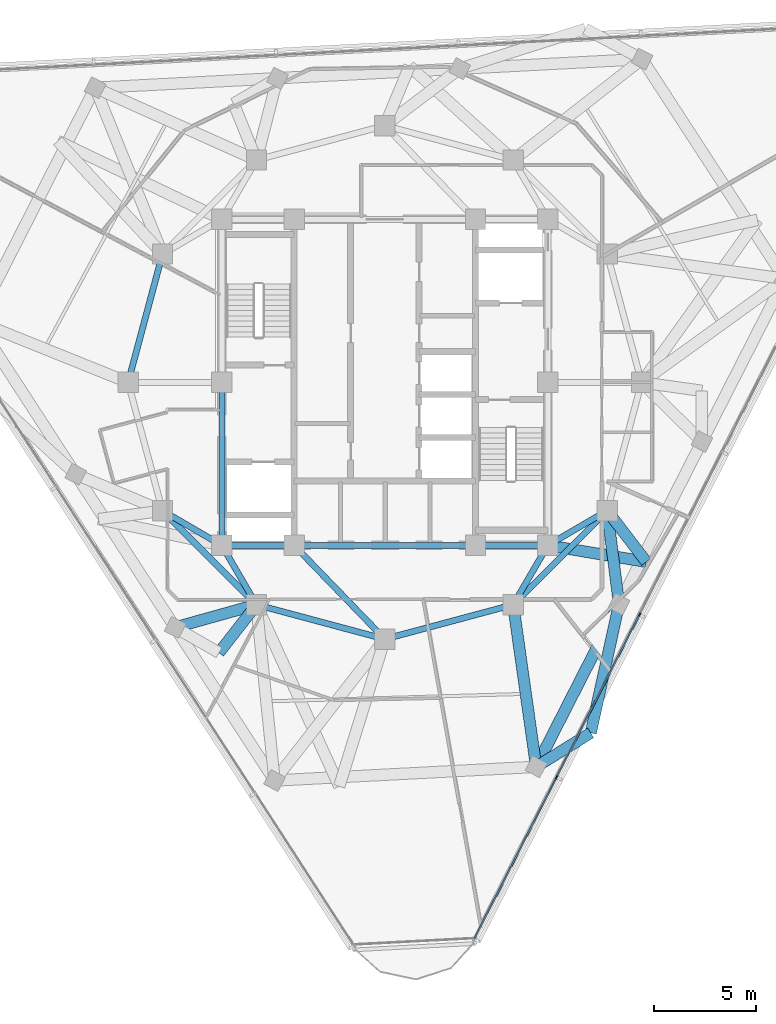
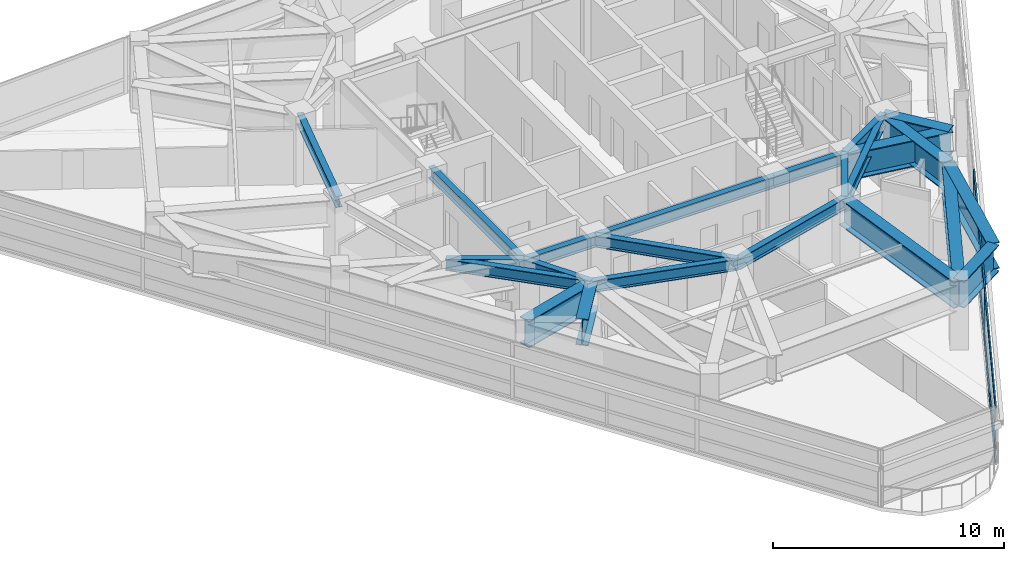
# One storey, part 3 of 15: 23 beams, 8 members, 1 element without a shape of its own.
"""IFC4 building model written with IfcOpenShell, lengths in metres."""

from ifc_helpers import new_model, si_unit, direction, frame, origin, origin_2d, place, context, subcontext, project, spatial, rectangle, i_section, extrude, material, layer, layer_set, material_profile, profile_set, type_object, element, aggregate, save


model = new_model("IFC4")

# Units and contexts
model_context = context("Model", 3, precision=1e-05, world=origin(), true_north=direction((0.0, 1.0)))
body_context = subcontext(model_context, "Body", "Model", "MODEL_VIEW")
ifc_project = project(units=[si_unit("LENGTHUNIT", "METRE"), si_unit("AREAUNIT", "SQUARE_METRE"), si_unit("VOLUMEUNIT", "CUBIC_METRE"), si_unit("PLANEANGLEUNIT", "RADIAN"), si_unit("MASSUNIT", "GRAM", prefix="KILO")], contexts=[model_context])

# Site, building, storey
site_placement = place(None, origin())
site = spatial("IfcSite", under=ifc_project, at=site_placement, CompositionType="ELEMENT")
building_placement = place(site_placement, origin())
building = spatial("IfcBuilding", under=site, at=building_placement, Name="Terralouvre Media Tower", CompositionType="ELEMENT")
storey_placement = place(building_placement, frame((0.0, 0.0, 274.39990234375)))
storey = spatial("IfcBuildingStorey", under=building, at=storey_placement, Name="L71", CompositionType="ELEMENT", Elevation=274.39990234375)

# Curtain wall, members
ifc_material_1 = material(Name="Low-iron laminated double glazing with solar-control coating", Category="glass")
ifc_layer = layer(ifc_material_1, 0.1650390625, Name="Upper Executive Tower Curtain Wall CW-05")
ifc_layer_set = layer_set([ifc_layer], Name="Low-iron laminated double glazing with solar-control coating")
curtain_wall_type = type_object("IfcCurtainWallType", Name="Upper Executive Tower Curtain Wall CW-05", PredefinedType="NOTDEFINED", material=ifc_layer_set)
curtain_wall_placement = place(storey_placement, origin())
curtain_wall = element("IfcCurtainWall", 1, at=curtain_wall_placement, inside=storey, type_object=curtain_wall_type, Name="L71 Facade Curtain Wall F0", PredefinedType="NOTDEFINED")
ifc_material_2 = material(Name="Anodised extruded aluminium 6063-T6", Category="aluminium")
ifc_material_profile_1 = material_profile(ifc_material_2, rectangle(XDim=0.074951171875, YDim=0.14990234375, at=origin_2d()), Name="ALU 75x150")
ifc_profile_set_1 = profile_set([ifc_material_profile_1], Name="Anodised extruded aluminium 6063-T6")
member_type_1 = type_object("IfcMemberType", Name="Curtain-Wall Horizontal Transom TR-150", PredefinedType="USERDEFINED", material=ifc_profile_set_1)
member_1_placement = place(storey_placement, frame((4.3994140625, -27.297607421875, 0.03759765625), z_axis=(0.453977864671, 0.891012961964, 0.0), x_axis=(-0.891012961964, 0.453977864671, 0.0)))
member_1 = element("IfcMember", 2, at=member_1_placement, type_object=member_type_1, Name="CW-05 transom 1.1", ObjectType="TRANSOM", PredefinedType="USERDEFINED", context=body_context, shape_type="SweptSolid", body=[
    extrude(rectangle(XDim=0.074951171875, YDim=0.14990234375, at=origin_2d()), origin(), (0.0, 0.0, 1.0), 8.84765625),
])
member_2_placement = place(storey_placement, frame((4.3994140625, -27.297607421875, 0.800048828125), z_axis=(0.453977864671, 0.891012961964, 0.0), x_axis=(-0.891012961964, 0.453977864671, 0.0)))
member_2 = element("IfcMember", 3, at=member_2_placement, type_object=member_type_1, Name="CW-05 transom 1.2", ObjectType="TRANSOM", PredefinedType="USERDEFINED", context=body_context, shape_type="SweptSolid", body=[
    extrude(rectangle(XDim=0.074951171875, YDim=0.14990234375, at=origin_2d()), origin(), (0.0, 0.0, 1.0), 8.84765625),
])
member_3_placement = place(storey_placement, frame((4.3994140625, -27.297607421875, 2.922607421875), z_axis=(0.453977864671, 0.891012961964, 0.0), x_axis=(-0.891012961964, 0.453977864671, 0.0)))
member_3 = element("IfcMember", 4, at=member_3_placement, type_object=member_type_1, Name="CW-05 transom 1.3", ObjectType="TRANSOM", PredefinedType="USERDEFINED", context=body_context, shape_type="SweptSolid", body=[
    extrude(rectangle(XDim=0.074951171875, YDim=0.14990234375, at=origin_2d()), origin(), (0.0, 0.0, 1.0), 8.84765625),
])
member_4_placement = place(storey_placement, frame((8.449951171875, -19.347412109375, 0.03759765625), z_axis=(0.454015101289, 0.890993988645, 0.0), x_axis=(-0.890993988645, 0.454015101289, 0.0)))
member_4 = element("IfcMember", 5, at=member_4_placement, type_object=member_type_1, Name="CW-05 transom 2.1", ObjectType="TRANSOM", PredefinedType="USERDEFINED", context=body_context, shape_type="SweptSolid", body=[
    extrude(rectangle(XDim=0.074951171875, YDim=0.14990234375, at=origin_2d()), origin(), (0.0, 0.0, 1.0), 8.885009765625),
])
member_5_placement = place(storey_placement, frame((8.449951171875, -19.347412109375, 0.800048828125), z_axis=(0.454015101289, 0.890993988645, 0.0), x_axis=(-0.890993988645, 0.454015101289, 0.0)))
member_5 = element("IfcMember", 6, at=member_5_placement, type_object=member_type_1, Name="CW-05 transom 2.2", ObjectType="TRANSOM", PredefinedType="USERDEFINED", context=body_context, shape_type="SweptSolid", body=[
    extrude(rectangle(XDim=0.074951171875, YDim=0.14990234375, at=origin_2d()), origin(), (0.0, 0.0, 1.0), 8.885009765625),
])
member_6_placement = place(storey_placement, frame((8.449951171875, -19.347412109375, 2.922607421875), z_axis=(0.454015101289, 0.890993988645, 0.0), x_axis=(-0.890993988645, 0.454015101289, 0.0)))
member_6 = element("IfcMember", 7, at=member_6_placement, type_object=member_type_1, Name="CW-05 transom 2.3", ObjectType="TRANSOM", PredefinedType="USERDEFINED", context=body_context, shape_type="SweptSolid", body=[
    extrude(rectangle(XDim=0.074951171875, YDim=0.14990234375, at=origin_2d()), origin(), (0.0, 0.0, 1.0), 8.885009765625),
])
ifc_material_3 = material(Name="Anodised extruded aluminium 6063-T6", Category="aluminium")
ifc_material_profile_2 = material_profile(ifc_material_3, rectangle(XDim=0.074951171875, YDim=0.179931640625, at=origin_2d()), Name="ALU 75x180")
ifc_profile_set_2 = profile_set([ifc_material_profile_2], Name="Anodised extruded aluminium 6063-T6")
member_type_2 = type_object("IfcMemberType", Name="Curtain-Wall Vertical Mullion ML-180", PredefinedType="MULLION", material=ifc_profile_set_2)
member_7_placement = place(storey_placement, frame((8.43310546875, -19.380859375, 0.0), z_axis=(0.0, 0.0, 1.0), x_axis=(-0.891006553308, 0.45399044259, 0.0)))
member_7 = element("IfcMember", 8, at=member_7_placement, type_object=member_type_2, Name="CW-05 mullion 2", PredefinedType="MULLION", context=body_context, shape_type="SweptSolid", body=[
    extrude(rectangle(XDim=0.074951171875, YDim=0.179931640625, at=origin_2d()), origin(), (0.0, 0.0, 1.0), 2.960205078125),
])
member_8_placement = place(storey_placement, frame((12.500732421875, -11.3974609375, 0.0), z_axis=(0.0, 0.0, 1.0), x_axis=(-0.891006553308, 0.45399044259, 0.0)))
member_8 = element("IfcMember", 9, at=member_8_placement, type_object=member_type_2, Name="CW-05 mullion 3", PredefinedType="MULLION", context=body_context, shape_type="SweptSolid", body=[
    extrude(rectangle(XDim=0.074951171875, YDim=0.179931640625, at=origin_2d()), origin(), (0.0, 0.0, 1.0), 2.960205078125),
])
aggregate(curtain_wall, [member_7, member_8, member_1, member_2, member_3, member_4, member_5, member_6])

# Beams
ifc_material_4 = material(Name="Structural steel S460M", Category="steel")
ifc_material_profile_3 = material_profile(ifc_material_4, i_section(OverallWidth=0.300048828125, OverallDepth=0.60009765625, WebThickness=0.015380859375, FlangeThickness=0.030029296875, at=origin_2d()), Name="HEB 600")
ifc_profile_set_3 = profile_set([ifc_material_profile_3], Name="Structural steel S460M")
beam_type_1 = type_object("IfcBeamType", Name="Primary Floor Girder B-HEB600 (HEB 600)", PredefinedType="BEAM", material=ifc_profile_set_3)
beam_1_placement = place(storey_placement, frame((-8.0, -8.0, 3.16015625), z_axis=(1.0, 0.0, 0.0), x_axis=(0.0, 1.0, 0.0)))
element("IfcBeam", 10, at=beam_1_placement, inside=storey, type_object=beam_type_1, Name="L71 Framing Beam BM-L71-CPR01", PredefinedType="BEAM", context=body_context, shape_type="SweptSolid", body=[
    extrude(i_section(OverallWidth=0.300048828125, OverallDepth=0.60009765625, WebThickness=0.015380859375, FlangeThickness=0.030029296875, at=origin_2d()), origin(), (0.0, 0.0, 1.0), 3.550048828125),
])
beam_2_placement = place(storey_placement, frame((-4.449951171875, -8.0, 3.16015625), z_axis=(1.0, 0.0, 0.0), x_axis=(0.0, 1.0, 0.0)))
element("IfcBeam", 11, at=beam_2_placement, inside=storey, type_object=beam_type_1, Name="L71 Framing Beam BM-L71-CPR02", PredefinedType="BEAM", context=body_context, shape_type="SweptSolid", body=[
    extrude(i_section(OverallWidth=0.300048828125, OverallDepth=0.60009765625, WebThickness=0.015380859375, FlangeThickness=0.030029296875, at=origin_2d()), origin(), (0.0, 0.0, 1.0), 8.89990234375),
])
beam_3_placement = place(storey_placement, frame((4.449951171875, -8.0, 3.16015625), z_axis=(1.0, 0.0, 0.0), x_axis=(0.0, 1.0, 0.0)))
element("IfcBeam", 12, at=beam_3_placement, inside=storey, type_object=beam_type_1, Name="L71 Framing Beam BM-L71-CPR03", PredefinedType="BEAM", context=body_context, shape_type="SweptSolid", body=[
    extrude(i_section(OverallWidth=0.300048828125, OverallDepth=0.60009765625, WebThickness=0.015380859375, FlangeThickness=0.030029296875, at=origin_2d()), origin(), (0.0, 0.0, 1.0), 3.550048828125),
])
beam_4_placement = place(storey_placement, frame((-8.0, 0.0, 3.16015625), z_axis=(0.0, -1.0, 0.0), x_axis=(1.0, 0.0, 0.0)))
element("IfcBeam", 13, at=beam_4_placement, inside=storey, type_object=beam_type_1, Name="L71 Framing Beam BM-L71-CPR10", PredefinedType="BEAM", context=body_context, shape_type="SweptSolid", body=[
    extrude(i_section(OverallWidth=0.300048828125, OverallDepth=0.60009765625, WebThickness=0.015380859375, FlangeThickness=0.030029296875, at=origin_2d()), origin(), (0.0, 0.0, 1.0), 8.0),
])
beam_5_placement = place(storey_placement, frame((-10.911865234375, -6.300048828125, 3.16015625), z_axis=(0.707106781187, -0.707106781187, 0.0), x_axis=(0.707106781187, 0.707106781187, 0.0)))
element("IfcBeam", 14, at=beam_5_placement, inside=storey, type_object=beam_type_1, Name="L71 Framing Beam BM-L71-MR01", PredefinedType="BEAM", context=body_context, shape_type="SweptSolid", body=[
    extrude(i_section(OverallWidth=0.300048828125, OverallDepth=0.60009765625, WebThickness=0.015380859375, FlangeThickness=0.030029296875, at=origin_2d()), origin(), (0.0, 0.0, 1.0), 6.52197265625),
])
for number, where, z_axis, x_axis, name in (
    (15, (-6.300048828125, -10.911865234375, 3.16015625), (0.965920481897, -0.258838989821, 0.0), (0.258838989821, 0.965920481897, 0.0), "L71 Framing Beam BM-L71-MR02"),
    (16, (0.0, -12.60009765625, 3.16015625), (0.965920481897, 0.258838989821, 0.0), (-0.258838989821, 0.965920481897, 0.0), "L71 Framing Beam BM-L71-MR03"),
):
    element("IfcBeam", number, at=place(storey_placement, frame(where, z_axis=z_axis, x_axis=x_axis)), inside=storey, type_object=beam_type_1, Name=name, PredefinedType="BEAM", context=body_context, shape_type="SweptSolid", body=[
        extrude(i_section(OverallWidth=0.300048828125, OverallDepth=0.60009765625, WebThickness=0.015380859375, FlangeThickness=0.030029296875, at=origin_2d()), origin(), (0.0, 0.0, 1.0), 6.522216796875),
    ])
beam_6_placement = place(storey_placement, frame((6.300048828125, -10.911865234375, 3.16015625), z_axis=(0.707106781187, 0.707106781187, 0.0), x_axis=(-0.707106781187, 0.707106781187, 0.0)))
element("IfcBeam", 17, at=beam_6_placement, inside=storey, type_object=beam_type_1, Name="L71 Framing Beam BM-L71-MR04", PredefinedType="BEAM", context=body_context, shape_type="SweptSolid", body=[
    extrude(i_section(OverallWidth=0.300048828125, OverallDepth=0.60009765625, WebThickness=0.015380859375, FlangeThickness=0.030029296875, at=origin_2d()), origin(), (0.0, 0.0, 1.0), 6.52197265625),
])
beam_7_placement = place(storey_placement, frame((-10.911865234375, 6.300048828125, 3.16015625), z_axis=(-0.258838989821, -0.965920481897, 0.0), x_axis=(0.965920481897, -0.258838989821, 0.0)))
element("IfcBeam", 18, at=beam_7_placement, inside=storey, type_object=beam_type_1, Name="L71 Framing Beam BM-L71-MR11", PredefinedType="BEAM", context=body_context, shape_type="SweptSolid", body=[
    extrude(i_section(OverallWidth=0.300048828125, OverallDepth=0.60009765625, WebThickness=0.015380859375, FlangeThickness=0.030029296875, at=origin_2d()), origin(), (0.0, 0.0, 1.0), 6.522216796875),
])
for number, where, z_axis, x_axis, name in (
    (19, (-8.0, -8.0, 3.16015625), (-0.863602894532, 0.504172629717, 0.0), (-0.504172629717, -0.863602894532, 0.0), "L71 Framing Beam BM-L71-CM01"),
    (20, (-8.0, -8.0, 3.16015625), (0.504172629717, -0.863602894532, 0.0), (0.863602894532, 0.504172629717, 0.0), "L71 Framing Beam BM-L71-CM02"),
):
    element("IfcBeam", number, at=place(storey_placement, frame(where, z_axis=z_axis, x_axis=x_axis)), inside=storey, type_object=beam_type_1, Name=name, PredefinedType="BEAM", context=body_context, shape_type="SweptSolid", body=[
        extrude(i_section(OverallWidth=0.300048828125, OverallDepth=0.60009765625, WebThickness=0.015380859375, FlangeThickness=0.030029296875, at=origin_2d()), origin(), (0.0, 0.0, 1.0), 3.371826171875),
    ])
beam_8_placement = place(storey_placement, frame((-4.449951171875, -8.0, 3.16015625), z_axis=(0.695279715726, -0.718739255155, 0.0), x_axis=(0.718739255155, 0.695279715726, 0.0)))
element("IfcBeam", 21, at=beam_8_placement, inside=storey, type_object=beam_type_1, Name="L71 Framing Beam BM-L71-CM03", PredefinedType="BEAM", context=body_context, shape_type="SweptSolid", body=[
    extrude(i_section(OverallWidth=0.300048828125, OverallDepth=0.60009765625, WebThickness=0.015380859375, FlangeThickness=0.030029296875, at=origin_2d()), origin(), (0.0, 0.0, 1.0), 6.400146484375),
])
for number, where, z_axis, x_axis, name in (
    (22, (8.0, -8.0, 3.16015625), (-0.504172629717, -0.863602894532, 0.0), (0.863602894532, -0.504172629717, 0.0), "L71 Framing Beam BM-L71-CM04"),
    (23, (8.0, -8.0, 3.16015625), (0.863602894532, 0.504172629717, 0.0), (-0.504172629717, 0.863602894532, 0.0), "L71 Framing Beam BM-L71-CM05"),
):
    element("IfcBeam", number, at=place(storey_placement, frame(where, z_axis=z_axis, x_axis=x_axis)), inside=storey, type_object=beam_type_1, Name=name, PredefinedType="BEAM", context=body_context, shape_type="SweptSolid", body=[
        extrude(i_section(OverallWidth=0.300048828125, OverallDepth=0.60009765625, WebThickness=0.015380859375, FlangeThickness=0.030029296875, at=origin_2d()), origin(), (0.0, 0.0, 1.0), 3.371826171875),
    ])
ifc_material_5 = material(Name="Structural steel S460M", Category="steel")
ifc_material_profile_4 = material_profile(ifc_material_5, i_section(OverallWidth=0.56005859375, OverallDepth=1.39990234375, WebThickness=0.031982421875, FlangeThickness=0.050048828125, at=origin_2d()), Name="TG 1400x560")
ifc_profile_set_4 = profile_set([ifc_material_profile_4], Name="Structural steel S460M")
beam_type_2 = type_object("IfcBeamType", Name="Welded Transfer Girder TG-1400 (TG 1400x560)", PredefinedType="USERDEFINED", material=ifc_profile_set_4)
beam_9_placement = place(storey_placement, frame((7.42626953125, -18.867919921875, 2.760009765625), z_axis=(0.453980068772, 0.891011838955, 0.0), x_axis=(-0.891011838955, 0.453980068772, 0.0)))
element("IfcBeam", 24, at=beam_9_placement, inside=storey, type_object=beam_type_2, Name="L71 Framing Beam BM-L71-PR04", ObjectType="TRANSFER GIRDER", PredefinedType="USERDEFINED", context=body_context, shape_type="SweptSolid", body=[
    extrude(i_section(OverallWidth=0.56005859375, OverallDepth=1.39990234375, WebThickness=0.031982421875, FlangeThickness=0.050048828125, at=origin_2d()), origin(), (0.0, 0.0, 1.0), 8.9599609375),
])
beam_10_placement = place(storey_placement, frame((-6.300048828125, -10.911865234375, 2.760009765625), z_axis=(-0.963188145668, -0.268828190571, 0.0), x_axis=(0.268828190571, -0.963188145668, 0.0)))
element("IfcBeam", 25, at=beam_10_placement, inside=storey, type_object=beam_type_2, Name="L71 Framing Beam BM-L71-RD02", ObjectType="TRANSFER GIRDER", PredefinedType="USERDEFINED", context=body_context, shape_type="SweptSolid", body=[
    extrude(i_section(OverallWidth=0.56005859375, OverallDepth=1.39990234375, WebThickness=0.031982421875, FlangeThickness=0.050048828125, at=origin_2d()), origin(), (0.0, 0.0, 1.0), 4.145751953125),
])
beam_11_placement = place(storey_placement, frame((6.300048828125, -10.911865234375, 2.760009765625), z_axis=(0.140157905782, -0.990129164022, 0.0), x_axis=(0.990129164022, 0.140157905782, 0.0)))
element("IfcBeam", 26, at=beam_11_placement, inside=storey, type_object=beam_type_2, Name="L71 Framing Beam BM-L71-RD04", ObjectType="TRANSFER GIRDER", PredefinedType="USERDEFINED", context=body_context, shape_type="SweptSolid", body=[
    extrude(i_section(OverallWidth=0.56005859375, OverallDepth=1.39990234375, WebThickness=0.031982421875, FlangeThickness=0.050048828125, at=origin_2d()), origin(), (0.0, 0.0, 1.0), 8.035400390625),
])
beam_12_placement = place(storey_placement, frame((10.911865234375, -6.300048828125, 2.760009765625), z_axis=(0.125946128673, -0.992037082307, 0.0), x_axis=(0.992037082307, 0.125946128673, 0.0)))
element("IfcBeam", 27, at=beam_12_placement, inside=storey, type_object=beam_type_2, Name="L71 Framing Beam BM-L71-RD05", ObjectType="TRANSFER GIRDER", PredefinedType="USERDEFINED", context=body_context, shape_type="SweptSolid", body=[
    extrude(i_section(OverallWidth=0.56005859375, OverallDepth=1.39990234375, WebThickness=0.031982421875, FlangeThickness=0.050048828125, at=origin_2d()), origin(), (0.0, 0.0, 1.0), 4.621337890625),
])
beam_13_placement = place(storey_placement, frame((10.105712890625, -17.20068359375, 2.760009765625), z_axis=(-0.849052748023, -0.528308083485, 0.0), x_axis=(0.528308083485, -0.849052748023, 0.0)))
element("IfcBeam", 28, at=beam_13_placement, inside=storey, type_object=beam_type_2, Name="L71 Framing Beam BM-L71-TR01S1", ObjectType="TRANSFER GIRDER", PredefinedType="USERDEFINED", context=body_context, shape_type="SweptSolid", body=[
    extrude(i_section(OverallWidth=0.56005859375, OverallDepth=1.39990234375, WebThickness=0.031982421875, FlangeThickness=0.050048828125, at=origin_2d()), origin(), (0.0, 0.0, 1.0), 3.15576171875),
])
beam_14_placement = place(storey_placement, frame((10.105712890625, -17.20068359375, 2.760009765625), z_axis=(0.214659405156, 0.976688967777, 0.0), x_axis=(-0.976688967777, 0.214659405156, 0.0)))
element("IfcBeam", 29, at=beam_14_placement, inside=storey, type_object=beam_type_2, Name="L71 Framing Beam BM-L71-TR01S2", ObjectType="TRANSFER GIRDER", PredefinedType="USERDEFINED", context=body_context, shape_type="SweptSolid", body=[
    extrude(i_section(OverallWidth=0.56005859375, OverallDepth=1.39990234375, WebThickness=0.031982421875, FlangeThickness=0.050048828125, at=origin_2d()), origin(), (0.0, 0.0, 1.0), 6.466796875),
])
beam_15_placement = place(storey_placement, frame((12.83251953125, -8.80859375, 2.760009765625), z_axis=(-0.607920398404, 0.793997978086, 0.0), x_axis=(-0.793997978086, -0.607920398404, 0.0)))
element("IfcBeam", 30, at=beam_15_placement, inside=storey, type_object=beam_type_2, Name="L71 Framing Beam BM-L71-TR02S1", ObjectType="TRANSFER GIRDER", PredefinedType="USERDEFINED", context=body_context, shape_type="SweptSolid", body=[
    extrude(i_section(OverallWidth=0.56005859375, OverallDepth=1.39990234375, WebThickness=0.031982421875, FlangeThickness=0.050048828125, at=origin_2d()), origin(), (0.0, 0.0, 1.0), 3.159423828125),
])
beam_16_placement = place(storey_placement, frame((12.83251953125, -8.80859375, 2.760009765625), z_axis=(-0.986288680392, 0.165029206298, 0.0), x_axis=(-0.165029206298, -0.986288680392, 0.0)))
element("IfcBeam", 31, at=beam_16_placement, inside=storey, type_object=beam_type_2, Name="L71 Framing Beam BM-L71-TR02S2", ObjectType="TRANSFER GIRDER", PredefinedType="USERDEFINED", context=body_context, shape_type="SweptSolid", body=[
    extrude(i_section(OverallWidth=0.56005859375, OverallDepth=1.39990234375, WebThickness=0.031982421875, FlangeThickness=0.050048828125, at=origin_2d()), origin(), (0.0, 0.0, 1.0), 4.899658203125),
])
beam_17_placement = place(storey_placement, frame((-8.14013671875, -13.266357421875, 2.760009765625), z_axis=(0.615777211554, 0.787920316867, 0.0), x_axis=(-0.787920316867, 0.615777211554, 0.0)))
element("IfcBeam", 32, at=beam_17_placement, inside=storey, type_object=beam_type_2, Name="L71 Framing Beam BM-L71-TR11S2", ObjectType="TRANSFER GIRDER", PredefinedType="USERDEFINED", context=body_context, shape_type="SweptSolid", body=[
    extrude(i_section(OverallWidth=0.56005859375, OverallDepth=1.39990234375, WebThickness=0.031982421875, FlangeThickness=0.050048828125, at=origin_2d()), origin(), (0.0, 0.0, 1.0), 2.98828125),
])

save(model, "model.ifc")
